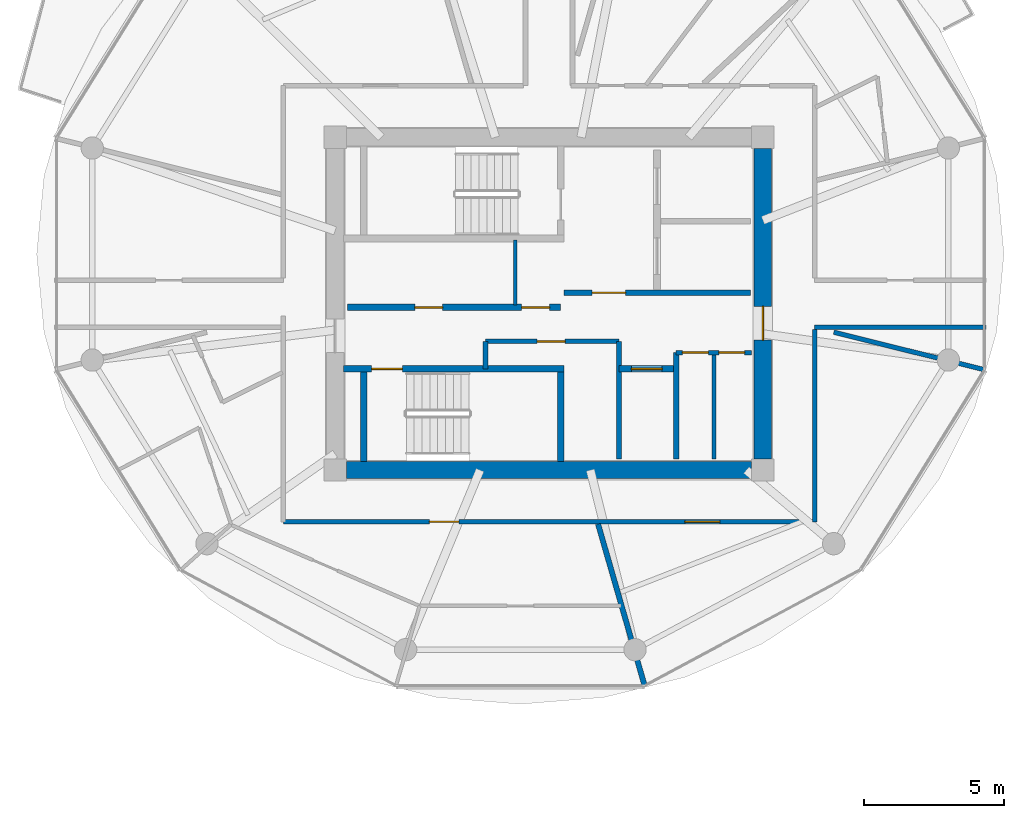
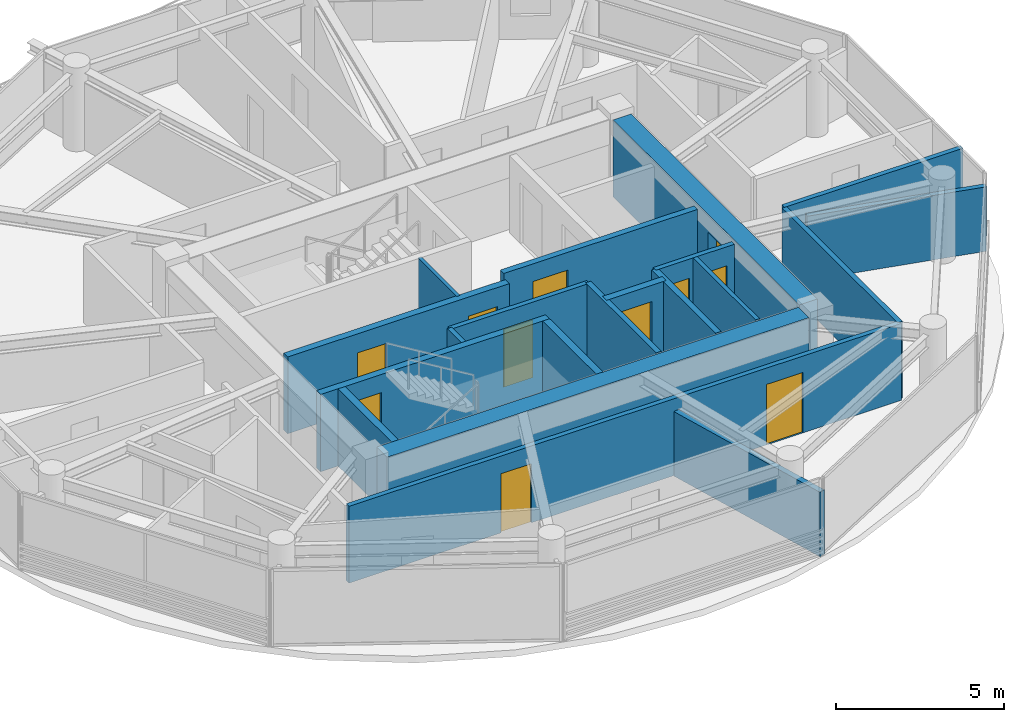
# One storey, part 15 of 22: 20 walls, 11 doors, 11 openings.
"""IFC4 building model written with IfcOpenShell, lengths in metres."""

from ifc_helpers import new_model, si_unit, direction, frame, frame_2d, origin, place, context, subcontext, project, spatial, rectangle, extrude, source, transform, mapped, material, layer, layer_set, type_object, type_shapes, element, fill, save


model = new_model("IFC4")

# Units and contexts
model_context = context("Model", 3, precision=1e-05, world=origin(), true_north=direction((0.0, 1.0)))
body_context = subcontext(model_context, "Body", "Model", "MODEL_VIEW")
ifc_project = project(units=[si_unit("LENGTHUNIT", "METRE"), si_unit("AREAUNIT", "SQUARE_METRE"), si_unit("VOLUMEUNIT", "CUBIC_METRE"), si_unit("PLANEANGLEUNIT", "RADIAN"), si_unit("MASSUNIT", "GRAM", prefix="KILO")], contexts=[model_context])

# Site, building, storey
site_placement = place(None, origin())
site = spatial("IfcSite", under=ifc_project, at=site_placement, CompositionType="ELEMENT")
building_placement = place(site_placement, origin())
building = spatial("IfcBuilding", under=site, at=building_placement, Name="Norrkilde Senior Care Towers", CompositionType="ELEMENT")
storey_placement = place(building_placement, frame((0.0, 0.0, 180.050048828125)))
storey = spatial("IfcBuildingStorey", under=building, at=storey_placement, Name="L56", CompositionType="ELEMENT", Elevation=180.050048828125)

# Wall
ifc_material_1 = material(Name="Concrete C50/60", Category="concrete")
ifc_layer_1 = layer(ifc_material_1, 0.6201171875)
ifc_layer_set_1 = layer_set([ifc_layer_1], Name="Concrete C50/60")
wall_type_1 = type_object("IfcWallType", Name="Core Shear Wall Z3 620", PredefinedType="SHEAR", material=ifc_layer_set_1)
shared_shape_1 = source(origin(), body_context, "Body", "SweptSolid", [
    extrude(rectangle(XDim=14.5, YDim=0.6201171875, at=frame_2d((7.25, 0.0))), origin(), (0.0, 0.0, 1.0), 2.81005859375),
])
wall_1_placement = place(storey_placement, frame((35.25, -5.949951171875, 0.0), z_axis=(0.0, 0.0, 1.0), x_axis=(-1.0, 0.0, 0.0)))
element("IfcWall", 1, at=wall_1_placement, inside=storey, type_object=wall_type_1, Name="L56 Core E South Shear Wall", PredefinedType="SHEAR", context=body_context, shape_type="MappedRepresentation", body=[
    mapped(shared_shape_1, transform((0.0, 0.0, 0.0), x_axis=(1.0, 0.0, 0.0), y_axis=(0.0, 1.0, 0.0), z_axis=(0.0, 0.0, 1.0), scale=1.0)),
])

# Wall, opening, door
shared_shape_2 = source(origin(), body_context, "Body", "SweptSolid", [
    extrude(rectangle(XDim=11.10009765625, YDim=0.6201171875, at=frame_2d((5.550048828125, 0.0))), origin(), (0.0, 0.0, 1.0), 2.81005859375),
])
type_shapes(wall_type_1, [shared_shape_1, shared_shape_2])
wall_2_placement = place(storey_placement, frame((35.64990234375, 5.550048828125, 0.0), z_axis=(0.0, 0.0, 1.0), x_axis=(0.0, -1.0, 0.0)))
wall_2 = element("IfcWall", 2, at=wall_2_placement, inside=storey, type_object=wall_type_1, Name="L56 Core E East Shear Wall", PredefinedType="SHEAR", context=body_context, shape_type="MappedRepresentation", body=[
    mapped(shared_shape_2, transform((0.0, 0.0, 0.0), x_axis=(1.0, 0.0, 0.0), y_axis=(0.0, 1.0, 0.0), z_axis=(0.0, 0.0, 1.0), scale=1.0)),
])
opening_1_placement = place(wall_2_placement, frame((5.64990234375, 0.0, 0.0)))
opening_1 = element("IfcOpeningElement", 3, at=opening_1_placement, cuts=wall_2, Name="Opening D-04", PredefinedType="OPENING", context=body_context, shape_type="SweptSolid", body=[
    extrude(rectangle(XDim=1.199951171875, YDim=2.14990234375, at=frame_2d((0.60009765625, 1.074951171875))), frame((0.0, 0.320068359375, 0.0), z_axis=(0.0, -1.0, 0.0), x_axis=(1.0, 0.0, 0.0)), (0.0, 0.0, 1.0), 0.64013671875),
])
ifc_material_2 = material(Name="Galvanised Painted Steel", Category="steel")
door_type_1 = type_object("IfcDoorType", Name="Firefighting Lobby Fire Door 1200x2150", OperationType="NOTDEFINED", PredefinedType="DOOR", material=ifc_material_2)
shared_shape_3 = source(origin(), body_context, "Body", "SweptSolid", [
    extrude(rectangle(XDim=1.199951171875, YDim=2.14990234375, at=frame_2d((0.60009765625, 1.074951171875))), frame((0.0, 0.02490234375, 0.0), z_axis=(0.0, -1.0, 0.0), x_axis=(1.0, 0.0, 0.0)), (0.0, 0.0, 1.0), 0.050048828125),
])
type_shapes(door_type_1, [shared_shape_3])
door_1_placement = place(opening_1_placement, frame((1.199951171875, 0.0, 0.0), z_axis=(0.0, 0.0, 1.0), x_axis=(-1.0, 0.0, 0.0)))
door_1 = element("IfcDoor", 4, at=door_1_placement, inside=storey, type_object=door_type_1, Name="L56 Core E East Portal Door", OperationType="SINGLE_SWING_RIGHT", OverallHeight=2.14990234375, OverallWidth=1.199951171875, PredefinedType="DOOR", context=body_context, shape_type="MappedRepresentation", body=[
    mapped(shared_shape_3, transform((0.0, 0.0, 0.0), x_axis=(1.0, 0.0, 0.0), y_axis=(0.0, 1.0, 0.0), z_axis=(0.0, 0.0, 1.0), scale=1.0)),
])
fill(opening_1, door_1)

ifc_material_3 = material(Name="Concrete C45/55", Category="concrete")
ifc_layer_2 = layer(ifc_material_3, 0.239990234375)
ifc_layer_set_2 = layer_set([ifc_layer_2], Name="Concrete C45/55")
wall_type_2 = type_object("IfcWallType", Name="Shaft and Stair Enclosure Wall 240", PredefinedType="PARTITIONING", material=ifc_layer_set_2)
shared_shape_4 = source(origin(), body_context, "Body", "SweptSolid", [
    extrude(rectangle(XDim=7.880126953125, YDim=0.239990234375, at=frame_2d((3.93994140625, 0.0))), origin(), (0.0, 0.0, 1.0), 2.81005859375),
])
wall_3_placement = place(storey_placement, frame((20.659912109375, -2.330078125, 0.0), z_axis=(0.0, 0.0, 1.0), x_axis=(1.0, 0.0, 0.0)))
wall_3 = element("IfcWall", 5, at=wall_3_placement, inside=storey, type_object=wall_type_2, Name="WL-INT-L56-E-ST2N", PredefinedType="PARTITIONING", context=body_context, shape_type="MappedRepresentation", body=[
    mapped(shared_shape_4, transform((0.0, 0.0, 0.0), x_axis=(1.0, 0.0, 0.0), y_axis=(0.0, 1.0, 0.0), z_axis=(0.0, 0.0, 1.0), scale=1.0)),
])
opening_2_placement = place(wall_3_placement, frame((1.0, 0.0, 0.0)))
opening_2 = element("IfcOpeningElement", 6, at=opening_2_placement, cuts=wall_3, Name="Opening D-03", PredefinedType="OPENING", context=body_context, shape_type="SweptSolid", body=[
    extrude(rectangle(XDim=1.10009765625, YDim=2.14990234375, at=frame_2d((0.550048828125, 1.074951171875))), frame((0.0, 0.1298828125, 0.0), z_axis=(0.0, -1.0, 0.0), x_axis=(1.0, 0.0, 0.0)), (0.0, 0.0, 1.0), 0.260009765625),
])
door_type_2 = type_object("IfcDoorType", Name="Stairwell Protected Fire Door 1100x2150", OperationType="NOTDEFINED", PredefinedType="DOOR", material=ifc_material_2)
shared_shape_5 = source(origin(), body_context, "Body", "SweptSolid", [
    extrude(rectangle(XDim=1.10009765625, YDim=2.14990234375, at=frame_2d((0.550048828125, 1.074951171875))), frame((0.0, 0.02490234375, 0.0), z_axis=(0.0, -1.0, 0.0), x_axis=(1.0, 0.0, 0.0)), (0.0, 0.0, 1.0), 0.050048828125),
])
type_shapes(door_type_2, [shared_shape_5])
door_2_placement = place(opening_2_placement, frame((1.10009765625, 0.0, 0.0), z_axis=(0.0, 0.0, 1.0), x_axis=(-1.0, 0.0, 0.0)))
door_2 = element("IfcDoor", 7, at=door_2_placement, inside=storey, type_object=door_type_2, Name="L56 Stair E2 Fire Door", OperationType="SINGLE_SWING_RIGHT", OverallHeight=2.14990234375, OverallWidth=1.10009765625, PredefinedType="DOOR", context=body_context, shape_type="MappedRepresentation", body=[
    mapped(shared_shape_5, transform((0.0, 0.0, 0.0), x_axis=(1.0, 0.0, 0.0), y_axis=(0.0, 1.0, 0.0), z_axis=(0.0, 0.0, 1.0), scale=1.0)),
])
fill(opening_2, door_2)

# Walls
shared_shape_6 = source(origin(), body_context, "Body", "SweptSolid", [
    extrude(rectangle(XDim=3.18994140625, YDim=0.239990234375, at=frame_2d((1.594970703125, 0.0))), origin(), (0.0, 0.0, 1.0), 2.81005859375),
])
type_shapes(wall_type_2, [shared_shape_4, shared_shape_6])
for number, where, z_axis, x_axis, name in (
    (8, (21.3798828125, -5.639892578125, 0.0), (0.0, 0.0, 1.0), (0.0, 1.0, 0.0), "WL-INT-L56-E-ST2W"),
    (9, (28.419921875, -5.639892578125, 0.0), (0.0, 0.0, 1.0), (0.0, 1.0, 0.0), "WL-INT-L56-E-ST2E"),
):
    element("IfcWall", number, at=place(storey_placement, frame(where, z_axis=z_axis, x_axis=x_axis)), inside=storey, type_object=wall_type_2, Name=name, PredefinedType="PARTITIONING", context=body_context, shape_type="MappedRepresentation", body=[
        mapped(shared_shape_6, transform((0.0, 0.0, 0.0), x_axis=(1.0, 0.0, 0.0), y_axis=(0.0, 1.0, 0.0), z_axis=(0.0, 0.0, 1.0), scale=1.0)),
    ])

# Wall, opening, door
ifc_layer_3 = layer(ifc_material_3, 0.2099609375)
ifc_layer_set_3 = layer_set([ifc_layer_3], Name="Concrete C45/55")
wall_type_3 = type_object("IfcWallType", Name="Firefighting Lobby Wall 210", PredefinedType="PARTITIONING", material=ifc_layer_set_3)
shared_shape_7 = source(origin(), body_context, "Body", "SweptSolid", [
    extrude(rectangle(XDim=6.659912109375, YDim=0.2099609375, at=frame_2d((3.330078125, 0.0))), origin(), (0.0, 0.0, 1.0), 2.794921875),
])
type_shapes(wall_type_3, [shared_shape_7])
wall_4_placement = place(storey_placement, frame((28.5400390625, 0.389892578125, 0.0), z_axis=(0.0, 0.0, 1.0), x_axis=(1.0, 0.0, 0.0)))
wall_4 = element("IfcWall", 10, at=wall_4_placement, inside=storey, type_object=wall_type_3, Name="WL-INT-L56-E-FFLS", PredefinedType="PARTITIONING", context=body_context, shape_type="MappedRepresentation", body=[
    mapped(shared_shape_7, transform((0.0, 0.0, 0.0), x_axis=(1.0, 0.0, 0.0), y_axis=(0.0, 1.0, 0.0), z_axis=(0.0, 0.0, 1.0), scale=1.0)),
])
opening_3_placement = place(wall_4_placement, frame((1.0, 0.0, 0.0)))
opening_3 = element("IfcOpeningElement", 11, at=opening_3_placement, cuts=wall_4, Name="Opening D-04", PredefinedType="OPENING", context=body_context, shape_type="SweptSolid", body=[
    extrude(rectangle(XDim=1.199951171875, YDim=2.14990234375, at=frame_2d((0.60009765625, 1.074951171875))), frame((0.0, 0.114990234375, 0.0), z_axis=(0.0, -1.0, 0.0), x_axis=(1.0, 0.0, 0.0)), (0.0, 0.0, 1.0), 0.22998046875),
])
door_3_placement = place(opening_3_placement, frame((1.199951171875, 0.0, 0.0), z_axis=(0.0, 0.0, 1.0), x_axis=(-1.0, 0.0, 0.0)))
door_3 = element("IfcDoor", 12, at=door_3_placement, inside=storey, type_object=door_type_1, Name="L56 Firefighting Lobby E Door", OperationType="SINGLE_SWING_LEFT", OverallHeight=2.14990234375, OverallWidth=1.199951171875, PredefinedType="DOOR", context=body_context, shape_type="MappedRepresentation", body=[
    mapped(shared_shape_3, transform((0.0, 0.0, 0.0), x_axis=(1.0, 0.0, 0.0), y_axis=(0.0, 1.0, 0.0), z_axis=(0.0, 0.0, 1.0), scale=1.0)),
])
fill(opening_3, door_3)

# Wall, openings, doors
ifc_layer_4 = layer(ifc_material_3, 0.239990234375)
ifc_layer_set_4 = layer_set([ifc_layer_4], Name="Concrete C45/55")
wall_type_4 = type_object("IfcWallType", Name="Lift and Plant Rated Enclosure Partition 240", PredefinedType="PARTITIONING", material=ifc_layer_set_4)
shared_shape_8 = source(origin(), body_context, "Body", "SweptSolid", [
    extrude(rectangle(XDim=7.619873046875, YDim=0.239990234375, at=frame_2d((3.81005859375, 0.0))), origin(), (0.0, 0.0, 1.0), 2.794921875),
])
wall_5_placement = place(storey_placement, frame((20.800048828125, -0.1298828125, 0.0), z_axis=(0.0, 0.0, 1.0), x_axis=(1.0, 0.0, 0.0)))
wall_5 = element("IfcWall", 13, at=wall_5_placement, inside=storey, type_object=wall_type_4, Name="WL-INT-L56-E-PKAS", PredefinedType="PARTITIONING", context=body_context, shape_type="MappedRepresentation", body=[
    mapped(shared_shape_8, transform((0.0, 0.0, 0.0), x_axis=(1.0, 0.0, 0.0), y_axis=(0.0, 1.0, 0.0), z_axis=(0.0, 0.0, 1.0), scale=1.0)),
])
opening_4_placement = place(wall_5_placement, frame((6.219970703125, 0.0, 0.0)))
opening_4 = element("IfcOpeningElement", 14, at=opening_4_placement, cuts=wall_5, Name="Opening D-10", PredefinedType="OPENING", context=body_context, shape_type="SweptSolid", body=[
    extrude(rectangle(XDim=1.0, YDim=2.10009765625, at=frame_2d((0.5, 1.050048828125))), frame((0.0, 0.1298828125, 0.0), z_axis=(0.0, -1.0, 0.0), x_axis=(1.0, 0.0, 0.0)), (0.0, 0.0, 1.0), 0.260009765625),
])
opening_5_placement = place(wall_5_placement, frame((2.39990234375, 0.0, 0.0)))
opening_5 = element("IfcOpeningElement", 15, at=opening_5_placement, cuts=wall_5, Name="Opening D-10", PredefinedType="OPENING", context=body_context, shape_type="SweptSolid", body=[
    extrude(rectangle(XDim=1.0, YDim=2.10009765625, at=frame_2d((0.5, 1.050048828125))), frame((0.0, 0.1298828125, 0.0), z_axis=(0.0, -1.0, 0.0), x_axis=(1.0, 0.0, 0.0)), (0.0, 0.0, 1.0), 0.260009765625),
])
door_type_3 = type_object("IfcDoorType", Name="Plant and Riser Rated Door 1000x2100", OperationType="NOTDEFINED", PredefinedType="DOOR", material=ifc_material_2)
shared_shape_9 = source(origin(), body_context, "Body", "SweptSolid", [
    extrude(rectangle(XDim=1.0, YDim=2.10009765625, at=frame_2d((0.5, 1.050048828125))), frame((0.0, 0.02490234375, 0.0), z_axis=(0.0, -1.0, 0.0), x_axis=(1.0, 0.0, 0.0)), (0.0, 0.0, 1.0), 0.050048828125),
])
type_shapes(door_type_3, [shared_shape_9])
door_4_placement = place(opening_4_placement, frame((1.0, 0.0, 0.0), z_axis=(0.0, 0.0, 1.0), x_axis=(-1.0, 0.0, 0.0)))
door_4 = element("IfcDoor", 16, at=door_4_placement, inside=storey, type_object=door_type_3, Name="L56 Electrical Riser E Door", OperationType="SINGLE_SWING_LEFT", OverallHeight=2.10009765625, OverallWidth=1.0, PredefinedType="DOOR", context=body_context, shape_type="MappedRepresentation", body=[
    mapped(shared_shape_9, transform((0.0, 0.0, 0.0), x_axis=(1.0, 0.0, 0.0), y_axis=(0.0, 1.0, 0.0), z_axis=(0.0, 0.0, 1.0), scale=1.0)),
])
fill(opening_4, door_4)
door_5_placement = place(opening_5_placement, frame((1.0, 0.0, 0.0), z_axis=(0.0, 0.0, 1.0), x_axis=(-1.0, 0.0, 0.0)))
door_5 = element("IfcDoor", 17, at=door_5_placement, inside=storey, type_object=door_type_3, Name="L56 Clean Supply Store E Door", OperationType="SINGLE_SWING_LEFT", OverallHeight=2.10009765625, OverallWidth=1.0, PredefinedType="DOOR", context=body_context, shape_type="MappedRepresentation", body=[
    mapped(shared_shape_9, transform((0.0, 0.0, 0.0), x_axis=(1.0, 0.0, 0.0), y_axis=(0.0, 1.0, 0.0), z_axis=(0.0, 0.0, 1.0), scale=1.0)),
])
fill(opening_5, door_5)

# Walls
ifc_material_4 = material(Name="Gypsum Acoustic Board")
ifc_layer_5 = layer(ifc_material_4, 0.114990234375)
ifc_layer_set_5 = layer_set([ifc_layer_5], Name="Gypsum Acoustic Board")
wall_type_5 = type_object("IfcWallType", Name="Internal Room Partition 115", PredefinedType="PARTITIONING", material=ifc_layer_set_5)
shared_shape_10 = source(origin(), body_context, "Body", "SweptSolid", [
    extrude(rectangle(XDim=2.330078125, YDim=0.114990234375, at=frame_2d((1.1650390625, 0.0))), origin(), (0.0, 0.0, 1.0), 2.794921875),
])
type_shapes(wall_type_5, [shared_shape_10])
wall_6_placement = place(storey_placement, frame((26.7900390625, -0.050048828125, 0.0), z_axis=(0.0, 0.0, 1.0), x_axis=(0.0, 1.0, 0.0)))
element("IfcWall", 18, at=wall_6_placement, inside=storey, type_object=wall_type_5, Name="WL-INT-L56-E-RISW", PredefinedType="PARTITIONING", context=body_context, shape_type="MappedRepresentation", body=[
    mapped(shared_shape_10, transform((0.0, 0.0, 0.0), x_axis=(1.0, 0.0, 0.0), y_axis=(0.0, 1.0, 0.0), z_axis=(0.0, 0.0, 1.0), scale=1.0)),
])
ifc_layer_6 = layer(ifc_material_3, 0.199951171875)
ifc_layer_set_6 = layer_set([ifc_layer_6], Name="Concrete C45/55")
wall_type_6 = type_object("IfcWallType", Name="Shaft Division and Plant Partition 200", PredefinedType="PARTITIONING", material=ifc_layer_set_6)
shared_shape_11 = source(origin(), body_context, "Body", "SweptSolid", [
    extrude(rectangle(XDim=3.800048828125, YDim=0.199951171875, at=frame_2d((1.89990234375, 0.0))), origin(), (0.0, 0.0, 1.0), 2.794921875),
])
type_shapes(wall_type_6, [shared_shape_11])
wall_7_placement = place(storey_placement, frame((32.550048828125, -5.550048828125, 0.0), z_axis=(0.0, 0.0, 1.0), x_axis=(0.0, 1.0, 0.0)))
element("IfcWall", 19, at=wall_7_placement, inside=storey, type_object=wall_type_6, Name="WL-INT-L56-E-PKBE", PredefinedType="PARTITIONING", context=body_context, shape_type="MappedRepresentation", body=[
    mapped(shared_shape_11, transform((0.0, 0.0, 0.0), x_axis=(1.0, 0.0, 0.0), y_axis=(0.0, 1.0, 0.0), z_axis=(0.0, 0.0, 1.0), scale=1.0)),
])

# Wall, openings, doors
ifc_layer_7 = layer(ifc_material_4, 0.1650390625)
ifc_layer_set_7 = layer_set([ifc_layer_7], Name="Gypsum Acoustic Board")
wall_type_7 = type_object("IfcWallType", Name="Corridor Rated Partition 165", PredefinedType="PARTITIONING", material=ifc_layer_set_7)
shared_shape_12 = source(origin(), body_context, "Body", "SweptSolid", [
    extrude(rectangle(XDim=2.699951171875, YDim=0.1650390625, at=frame_2d((1.35009765625, 0.0))), origin(), (0.0, 0.0, 1.0), 2.794921875),
])
wall_8_placement = place(storey_placement, frame((32.550048828125, -1.75, 0.0), z_axis=(0.0, 0.0, 1.0), x_axis=(1.0, 0.0, 0.0)))
wall_8 = element("IfcWall", 20, at=wall_8_placement, inside=storey, type_object=wall_type_7, Name="WL-INT-L56-E-CSN", PredefinedType="PARTITIONING", context=body_context, shape_type="MappedRepresentation", body=[
    mapped(shared_shape_12, transform((0.0, 0.0, 0.0), x_axis=(1.0, 0.0, 0.0), y_axis=(0.0, 1.0, 0.0), z_axis=(0.0, 0.0, 1.0), scale=1.0)),
])
opening_6_placement = place(wall_8_placement, frame((0.222412109375, 0.0, 0.0)))
opening_6 = element("IfcOpeningElement", 21, at=opening_6_placement, cuts=wall_8, Name="Opening D-12", PredefinedType="OPENING", context=body_context, shape_type="SweptSolid", body=[
    extrude(rectangle(XDim=0.925048828125, YDim=2.10009765625, at=frame_2d((0.46240234375, 1.050048828125))), frame((0.0, 0.092529296875, 0.0), z_axis=(0.0, -1.0, 0.0), x_axis=(1.0, 0.0, 0.0)), (0.0, 0.0, 1.0), 0.18505859375),
])
opening_7_placement = place(wall_8_placement, frame((1.5224609375, 0.0, 0.0)))
opening_7 = element("IfcOpeningElement", 22, at=opening_7_placement, cuts=wall_8, Name="Opening D-12", PredefinedType="OPENING", context=body_context, shape_type="SweptSolid", body=[
    extrude(rectangle(XDim=0.925048828125, YDim=2.10009765625, at=frame_2d((0.46240234375, 1.050048828125))), frame((0.0, 0.092529296875, 0.0), z_axis=(0.0, -1.0, 0.0), x_axis=(1.0, 0.0, 0.0)), (0.0, 0.0, 1.0), 0.18505859375),
])
door_type_4 = type_object("IfcDoorType", Name="Core Wet Room Rated Door 925x2100", OperationType="NOTDEFINED", PredefinedType="DOOR", material=ifc_material_2)
shared_shape_13 = source(origin(), body_context, "Body", "SweptSolid", [
    extrude(rectangle(XDim=0.925048828125, YDim=2.10009765625, at=frame_2d((0.46240234375, 1.050048828125))), frame((0.0, 0.02490234375, 0.0), z_axis=(0.0, -1.0, 0.0), x_axis=(1.0, 0.0, 0.0)), (0.0, 0.0, 1.0), 0.050048828125),
])
type_shapes(door_type_4, [shared_shape_13])
door_6_placement = place(opening_6_placement, origin())
door_6 = element("IfcDoor", 23, at=door_6_placement, inside=storey, type_object=door_type_4, Name="L56 Staff Accessible WC E Door", OperationType="SINGLE_SWING_LEFT", OverallHeight=2.10009765625, OverallWidth=0.925048828125, PredefinedType="DOOR", context=body_context, shape_type="MappedRepresentation", body=[
    mapped(shared_shape_13, transform((0.0, 0.0, 0.0), x_axis=(1.0, 0.0, 0.0), y_axis=(0.0, 1.0, 0.0), z_axis=(0.0, 0.0, 1.0), scale=1.0)),
])
fill(opening_6, door_6)
door_7_placement = place(opening_7_placement, origin())
door_7 = element("IfcDoor", 24, at=door_7_placement, inside=storey, type_object=door_type_4, Name="L56 Housekeeping Store E Door", OperationType="SINGLE_SWING_RIGHT", OverallHeight=2.10009765625, OverallWidth=0.925048828125, PredefinedType="DOOR", context=body_context, shape_type="MappedRepresentation", body=[
    mapped(shared_shape_13, transform((0.0, 0.0, 0.0), x_axis=(1.0, 0.0, 0.0), y_axis=(0.0, 1.0, 0.0), z_axis=(0.0, 0.0, 1.0), scale=1.0)),
])
fill(opening_7, door_7)

# Walls
ifc_layer_8 = layer(ifc_material_4, 0.139892578125)
ifc_layer_set_8 = layer_set([ifc_layer_8], Name="Gypsum Acoustic Board")
wall_type_8 = type_object("IfcWallType", Name="En-suite Wet Room Wall 140", PredefinedType="PARTITIONING", material=ifc_layer_set_8)
shared_shape_14 = source(origin(), body_context, "Body", "SweptSolid", [
    extrude(rectangle(XDim=3.800048828125, YDim=0.139892578125, at=frame_2d((1.89990234375, 0.0))), origin(), (0.0, 0.0, 1.0), 2.794921875),
])
type_shapes(wall_type_8, [shared_shape_14])
wall_9_placement = place(storey_placement, frame((33.89990234375, -5.550048828125, 0.0), z_axis=(0.0, 0.0, 1.0), x_axis=(0.0, 1.0, 0.0)))
element("IfcWall", 25, at=wall_9_placement, inside=storey, type_object=wall_type_8, Name="WL-INT-L56-E-CS1V", PredefinedType="PARTITIONING", context=body_context, shape_type="MappedRepresentation", body=[
    mapped(shared_shape_14, transform((0.0, 0.0, 0.0), x_axis=(1.0, 0.0, 0.0), y_axis=(0.0, 1.0, 0.0), z_axis=(0.0, 0.0, 1.0), scale=1.0)),
])
shared_shape_15 = source(origin(), body_context, "Body", "SweptSolid", [
    extrude(rectangle(XDim=5.564208984375, YDim=0.1650390625, at=frame_2d((2.7822265625, 0.0))), origin(), (0.0, 0.0, 1.0), 2.344970703125),
])
wall_10_placement = place(storey_placement, frame((38.18994140625, -1.02001953125, 0.0), z_axis=(0.0, 0.0, 1.0), x_axis=(0.97031260977, -0.241854169533, 0.0)))
element("IfcWall", 26, at=wall_10_placement, inside=storey, type_object=wall_type_7, Name="WL-INT-L56-E-DEM-11-0", PredefinedType="PARTITIONING", context=body_context, shape_type="MappedRepresentation", body=[
    mapped(shared_shape_15, transform((0.0, 0.0, 0.0), x_axis=(1.0, 0.0, 0.0), y_axis=(0.0, 1.0, 0.0), z_axis=(0.0, 0.0, 1.0), scale=1.0)),
])
ifc_layer_9 = layer(ifc_material_4, 0.18994140625)
ifc_layer_set_9 = layer_set([ifc_layer_9], Name="Gypsum Acoustic Board")
wall_type_9 = type_object("IfcWallType", Name="Unit Demising Acoustic Wall 190", PredefinedType="PARTITIONING", material=ifc_layer_set_9)
shared_shape_16 = source(origin(), body_context, "Body", "SweptSolid", [
    extrude(rectangle(XDim=6.035400390625, YDim=0.18994140625, at=frame_2d((3.017578125, 0.0))), origin(), (0.0, 0.0, 1.0), 2.344970703125),
])
type_shapes(wall_type_9, [shared_shape_16])
wall_11_placement = place(storey_placement, frame((29.756103515625, -7.8798828125, 0.0), z_axis=(0.0, 0.0, 1.0), x_axis=(0.276809454862, -0.960924828329, 0.0)))
element("IfcWall", 27, at=wall_11_placement, inside=storey, type_object=wall_type_9, Name="WL-INT-L56-E-DEM-09-0", PredefinedType="PARTITIONING", context=body_context, shape_type="MappedRepresentation", body=[
    mapped(shared_shape_16, transform((0.0, 0.0, 0.0), x_axis=(1.0, 0.0, 0.0), y_axis=(0.0, 1.0, 0.0), z_axis=(0.0, 0.0, 1.0), scale=1.0)),
])

# Wall, opening, door
shared_shape_17 = source(origin(), body_context, "Body", "SweptSolid", [
    extrude(rectangle(XDim=2.050048828125, YDim=0.239990234375, at=frame_2d((1.02490234375, 0.0))), origin(), (0.0, 0.0, 1.0), 2.794921875),
])
type_shapes(wall_type_4, [shared_shape_8, shared_shape_17])
wall_12_placement = place(storey_placement, frame((30.5, -2.330078125, 0.0), z_axis=(0.0, 0.0, 1.0), x_axis=(1.0, 0.0, 0.0)))
wall_12 = element("IfcWall", 28, at=wall_12_placement, inside=storey, type_object=wall_type_4, Name="WL-INT-L56-E-PL4N", PredefinedType="PARTITIONING", context=body_context, shape_type="MappedRepresentation", body=[
    mapped(shared_shape_17, transform((0.0, 0.0, 0.0), x_axis=(1.0, 0.0, 0.0), y_axis=(0.0, 1.0, 0.0), z_axis=(0.0, 0.0, 1.0), scale=1.0)),
])
opening_8_placement = place(wall_12_placement, frame((0.449951171875, 0.0, 0.0)))
opening_8 = element("IfcOpeningElement", 29, at=opening_8_placement, cuts=wall_12, Name="Opening LD-01", PredefinedType="OPENING", context=body_context, shape_type="SweptSolid", body=[
    extrude(rectangle(XDim=1.10009765625, YDim=2.199951171875, at=frame_2d((0.550048828125, 1.10009765625))), frame((0.0, 0.1298828125, 0.0), z_axis=(0.0, -1.0, 0.0), x_axis=(1.0, 0.0, 0.0)), (0.0, 0.0, 1.0), 0.260009765625),
])
ifc_material_5 = material(Name="Stainless Steel", Category="steel")
door_type_5 = type_object("IfcDoorType", Name="Lift Landing Sliding Door 1100x2200", OperationType="NOTDEFINED", PredefinedType="DOOR", material=ifc_material_5)
shared_shape_18 = source(origin(), body_context, "Body", "SweptSolid", [
    extrude(rectangle(XDim=1.10009765625, YDim=2.199951171875, at=frame_2d((0.550048828125, 1.10009765625))), frame((0.0, 0.02490234375, 0.0), z_axis=(0.0, -1.0, 0.0), x_axis=(1.0, 0.0, 0.0)), (0.0, 0.0, 1.0), 0.050048828125),
])
type_shapes(door_type_5, [shared_shape_18])
door_8_placement = place(opening_8_placement, frame((1.10009765625, 0.0, 0.0), z_axis=(0.0, 0.0, 1.0), x_axis=(-1.0, 0.0, 0.0)))
door_8 = element("IfcDoor", 30, at=door_8_placement, inside=storey, type_object=door_type_5, Name="L56 Passenger Lift E4 Landing Door", OperationType="SLIDING_TO_RIGHT", OverallHeight=2.199951171875, OverallWidth=1.10009765625, PredefinedType="DOOR", context=body_context, shape_type="MappedRepresentation", body=[
    mapped(shared_shape_18, transform((0.0, 0.0, 0.0), x_axis=(1.0, 0.0, 0.0), y_axis=(0.0, 1.0, 0.0), z_axis=(0.0, 0.0, 1.0), scale=1.0)),
])
fill(opening_8, door_8)

# Wall
ifc_layer_10 = layer(ifc_material_3, 0.179931640625)
ifc_layer_set_10 = layer_set([ifc_layer_10], Name="Concrete C45/55")
wall_type_10 = type_object("IfcWallType", Name="Hoistway Division Rated Partition 180", PredefinedType="PARTITIONING", material=ifc_layer_set_10)
shared_shape_19 = source(origin(), body_context, "Body", "SweptSolid", [
    extrude(rectangle(XDim=4.199951171875, YDim=0.179931640625, at=frame_2d((2.10009765625, 0.0))), origin(), (0.0, 0.0, 1.0), 2.794921875),
])
type_shapes(wall_type_10, [shared_shape_19])
wall_13_placement = place(storey_placement, frame((30.5, -5.550048828125, 0.0), z_axis=(0.0, 0.0, 1.0), x_axis=(0.0, 1.0, 0.0)))
element("IfcWall", 31, at=wall_13_placement, inside=storey, type_object=wall_type_10, Name="WL-INT-L56-E-PL4W", PredefinedType="PARTITIONING", context=body_context, shape_type="MappedRepresentation", body=[
    mapped(shared_shape_19, transform((0.0, 0.0, 0.0), x_axis=(1.0, 0.0, 0.0), y_axis=(0.0, 1.0, 0.0), z_axis=(0.0, 0.0, 1.0), scale=1.0)),
])

# Wall, opening, door
shared_shape_20 = source(origin(), body_context, "Body", "SweptSolid", [
    extrude(rectangle(XDim=4.77001953125, YDim=0.1650390625, at=frame_2d((2.385009765625, 0.0))), origin(), (0.0, 0.0, 1.0), 2.794921875),
])
wall_14_placement = place(storey_placement, frame((25.72998046875, -1.35009765625, 0.0), z_axis=(0.0, 0.0, 1.0), x_axis=(1.0, 0.0, 0.0)))
wall_14 = element("IfcWall", 32, at=wall_14_placement, inside=storey, type_object=wall_type_7, Name="WL-INT-L56-E-FR2N", PredefinedType="PARTITIONING", context=body_context, shape_type="MappedRepresentation", body=[
    mapped(shared_shape_20, transform((0.0, 0.0, 0.0), x_axis=(1.0, 0.0, 0.0), y_axis=(0.0, 1.0, 0.0), z_axis=(0.0, 0.0, 1.0), scale=1.0)),
])
opening_9_placement = place(wall_14_placement, frame((1.85009765625, 0.0, 0.0)))
opening_9 = element("IfcOpeningElement", 33, at=opening_9_placement, cuts=wall_14, Name="Opening D-10", PredefinedType="OPENING", context=body_context, shape_type="SweptSolid", body=[
    extrude(rectangle(XDim=1.0, YDim=2.10009765625, at=frame_2d((0.5, 1.050048828125))), frame((0.0, 0.092529296875, 0.0), z_axis=(0.0, -1.0, 0.0), x_axis=(1.0, 0.0, 0.0)), (0.0, 0.0, 1.0), 0.18505859375),
])
door_9_placement = place(opening_9_placement, origin())
door_9 = element("IfcDoor", 34, at=door_9_placement, inside=storey, type_object=door_type_3, Name="L56 Core Pantry E Door", OperationType="SINGLE_SWING_RIGHT", OverallHeight=2.10009765625, OverallWidth=1.0, PredefinedType="DOOR", context=body_context, shape_type="MappedRepresentation", body=[
    mapped(shared_shape_9, transform((0.0, 0.0, 0.0), x_axis=(1.0, 0.0, 0.0), y_axis=(0.0, 1.0, 0.0), z_axis=(0.0, 0.0, 1.0), scale=1.0)),
])
fill(opening_9, door_9)

# Wall
shared_shape_21 = source(origin(), body_context, "Body", "SweptSolid", [
    extrude(rectangle(XDim=0.97998046875, YDim=0.1650390625, at=frame_2d((0.489990234375, 0.0))), origin(), (0.0, 0.0, 1.0), 2.794921875),
])
wall_15_placement = place(storey_placement, frame((25.72998046875, -2.330078125, 0.0), z_axis=(0.0, 0.0, 1.0), x_axis=(0.0, 1.0, 0.0)))
element("IfcWall", 35, at=wall_15_placement, inside=storey, type_object=wall_type_7, Name="WL-INT-L56-E-FR2W", PredefinedType="PARTITIONING", context=body_context, shape_type="MappedRepresentation", body=[
    mapped(shared_shape_21, transform((0.0, 0.0, 0.0), x_axis=(1.0, 0.0, 0.0), y_axis=(0.0, 1.0, 0.0), z_axis=(0.0, 0.0, 1.0), scale=1.0)),
])

# Wall, openings, doors
shared_shape_22 = source(origin(), body_context, "Body", "SweptSolid", [
    extrude(rectangle(XDim=19.0, YDim=0.1650390625, at=frame_2d((9.5, 0.0))), origin(), (0.0, 0.0, 1.0), 2.794921875),
])
wall_16_placement = place(storey_placement, frame((37.5, -7.800048828125, 0.0), z_axis=(0.0, 0.0, 1.0), x_axis=(-1.0, 0.0, 0.0)))
wall_16 = element("IfcWall", 36, at=wall_16_placement, inside=storey, type_object=wall_type_7, Name="WL-INT-L56-E-CRW-S-0", PredefinedType="PARTITIONING", context=body_context, shape_type="MappedRepresentation", body=[
    mapped(shared_shape_22, transform((0.0, 0.0, 0.0), x_axis=(1.0, 0.0, 0.0), y_axis=(0.0, 1.0, 0.0), z_axis=(0.0, 0.0, 1.0), scale=1.0)),
])
opening_10_placement = place(wall_16_placement, frame((12.723388671875, 0.0, 0.0)))
opening_10 = element("IfcOpeningElement", 37, at=opening_10_placement, cuts=wall_16, Name="Opening D-06", PredefinedType="OPENING", context=body_context, shape_type="SweptSolid", body=[
    extrude(rectangle(XDim=1.050048828125, YDim=2.14990234375, at=frame_2d((0.52490234375, 1.074951171875))), frame((0.0, 0.092529296875, 0.0), z_axis=(0.0, -1.0, 0.0), x_axis=(1.0, 0.0, 0.0)), (0.0, 0.0, 1.0), 0.18505859375),
])
opening_11_placement = place(wall_16_placement, frame((3.3916015625, 0.0, 0.0)))
opening_11 = element("IfcOpeningElement", 38, at=opening_11_placement, cuts=wall_16, Name="Opening D-05", PredefinedType="OPENING", context=body_context, shape_type="SweptSolid", body=[
    extrude(rectangle(XDim=1.25, YDim=2.199951171875, at=frame_2d((0.625, 1.10009765625))), frame((0.0, 0.092529296875, 0.0), z_axis=(0.0, -1.0, 0.0), x_axis=(1.0, 0.0, 0.0)), (0.0, 0.0, 1.0), 0.18505859375),
])
ifc_material_6 = material(Name="Nordic Ash Timber", Category="wood")
door_type_6 = type_object("IfcDoorType", Name="Care Bedroom Bariatric Door 1250x2200", OperationType="NOTDEFINED", PredefinedType="DOOR", material=ifc_material_6)
shared_shape_23 = source(origin(), body_context, "Body", "SweptSolid", [
    extrude(rectangle(XDim=1.25, YDim=2.199951171875, at=frame_2d((0.625, 1.10009765625))), frame((0.0, 0.02490234375, 0.0), z_axis=(0.0, -1.0, 0.0), x_axis=(1.0, 0.0, 0.0)), (0.0, 0.0, 1.0), 0.050048828125),
])
type_shapes(door_type_6, [shared_shape_23])
door_10_placement = place(opening_11_placement, frame((1.25, 0.0, 0.0), z_axis=(0.0, 0.0, 1.0), x_axis=(-1.0, 0.0, 0.0)))
door_10 = element("IfcDoor", 39, at=door_10_placement, inside=storey, type_object=door_type_6, Name="L56 Care Coordination Charting Office Door", OperationType="SINGLE_SWING_RIGHT", OverallHeight=2.199951171875, OverallWidth=1.25, PredefinedType="DOOR", context=body_context, shape_type="MappedRepresentation", body=[
    mapped(shared_shape_23, transform((0.0, 0.0, 0.0), x_axis=(1.0, 0.0, 0.0), y_axis=(0.0, 1.0, 0.0), z_axis=(0.0, 0.0, 1.0), scale=1.0)),
])
fill(opening_11, door_10)
door_type_7 = type_object("IfcDoorType", Name="Apartment Entrance Fire Door 1050x2150", OperationType="NOTDEFINED", PredefinedType="DOOR", material=ifc_material_6)
shared_shape_24 = source(origin(), body_context, "Body", "SweptSolid", [
    extrude(rectangle(XDim=1.050048828125, YDim=2.14990234375, at=frame_2d((0.52490234375, 1.074951171875))), frame((0.0, 0.02490234375, 0.0), z_axis=(0.0, -1.0, 0.0), x_axis=(1.0, 0.0, 0.0)), (0.0, 0.0, 1.0), 0.050048828125),
])
type_shapes(door_type_7, [shared_shape_24])
door_11_placement = place(opening_10_placement, frame((1.050048828125, 0.0, 0.0), z_axis=(0.0, 0.0, 1.0), x_axis=(-1.0, 0.0, 0.0)))
door_11 = element("IfcDoor", 40, at=door_11_placement, inside=storey, type_object=door_type_7, Name="Apartment 56D Entrance Door", OperationType="SINGLE_SWING_LEFT", OverallHeight=2.14990234375, OverallWidth=1.050048828125, PredefinedType="DOOR", context=body_context, shape_type="MappedRepresentation", body=[
    mapped(shared_shape_24, transform((0.0, 0.0, 0.0), x_axis=(1.0, 0.0, 0.0), y_axis=(0.0, 1.0, 0.0), z_axis=(0.0, 0.0, 1.0), scale=1.0)),
])
fill(opening_10, door_11)

# Walls
shared_shape_25 = source(origin(), body_context, "Body", "SweptSolid", [
    extrude(rectangle(XDim=6.880126953125, YDim=0.1650390625, at=frame_2d((3.43994140625, 0.0))), origin(), (0.0, 0.0, 1.0), 2.794921875),
])
wall_17_placement = place(storey_placement, frame((37.5, -0.919921875, 0.0), z_axis=(0.0, 0.0, 1.0), x_axis=(0.0, -1.0, 0.0)))
element("IfcWall", 41, at=wall_17_placement, inside=storey, type_object=wall_type_7, Name="WL-INT-L56-E-CRW-E-1", PredefinedType="PARTITIONING", context=body_context, shape_type="MappedRepresentation", body=[
    mapped(shared_shape_25, transform((0.0, 0.0, 0.0), x_axis=(1.0, 0.0, 0.0), y_axis=(0.0, 1.0, 0.0), z_axis=(0.0, 0.0, 1.0), scale=1.0)),
])
shared_shape_26 = source(origin(), body_context, "Body", "SweptSolid", [
    extrude(rectangle(XDim=6.138916015625, YDim=0.1650390625, at=frame_2d((3.0693359375, 0.0))), origin(), (0.0, 0.0, 1.0), 2.794921875),
])
type_shapes(wall_type_7, [shared_shape_12, shared_shape_15, shared_shape_20, shared_shape_21, shared_shape_22, shared_shape_25, shared_shape_26])
wall_18_placement = place(storey_placement, frame((43.638916015625, -0.840087890625, 0.0), z_axis=(0.0, 0.0, 1.0), x_axis=(-1.0, 0.0, 0.0)))
element("IfcWall", 42, at=wall_18_placement, inside=storey, type_object=wall_type_7, Name="WL-INT-L56-E-SPK-E2-0", PredefinedType="PARTITIONING", context=body_context, shape_type="MappedRepresentation", body=[
    mapped(shared_shape_26, transform((0.0, 0.0, 0.0), x_axis=(1.0, 0.0, 0.0), y_axis=(0.0, 1.0, 0.0), z_axis=(0.0, 0.0, 1.0), scale=1.0)),
])

save(model, "model.ifc")
